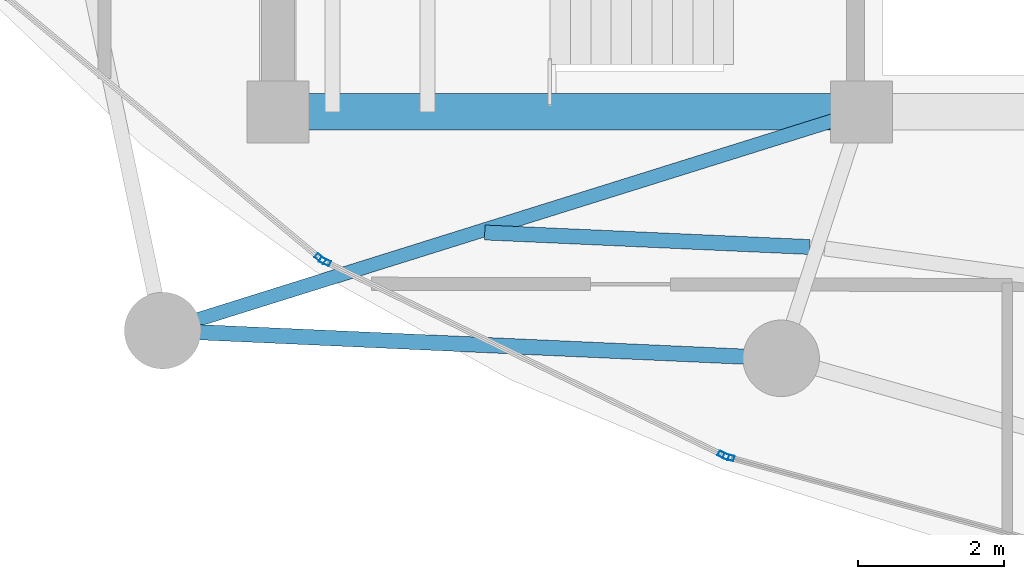
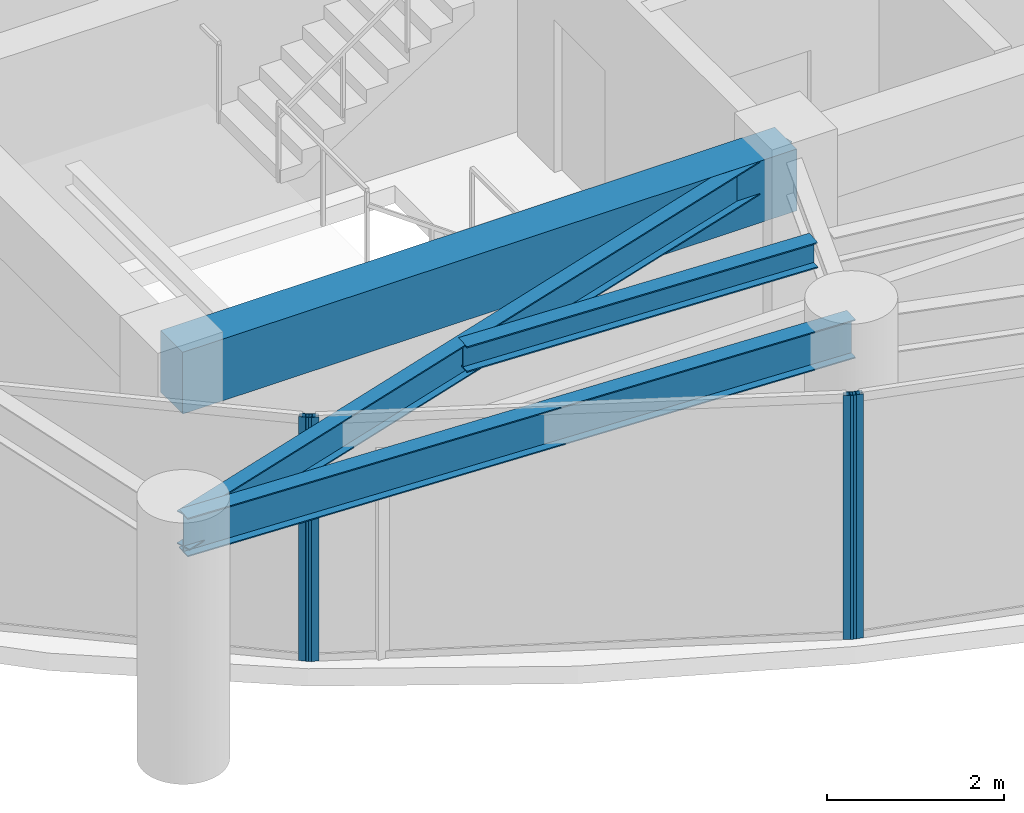
# One storey, part 2 of 31: 4 beams, 4 members, 3 elements without a shape of their own.
"""IFC4 building model written with IfcOpenShell, lengths in metres."""

from ifc_helpers import new_model, si_unit, direction, frame, origin, origin_2d, place, context, subcontext, project, spatial, rectangle, hollow_rectangle, i_section, extrude, material, layer, layer_set, material_profile, profile_set, type_object, element, aggregate, save


model = new_model("IFC4")

# Units and contexts
model_context = context("Model", 3, precision=1e-05, world=origin(), true_north=direction((0.0, 1.0)))
body_context = subcontext(model_context, "Body", "Model", "MODEL_VIEW")
ifc_project = project(units=[si_unit("LENGTHUNIT", "METRE"), si_unit("AREAUNIT", "SQUARE_METRE"), si_unit("VOLUMEUNIT", "CUBIC_METRE"), si_unit("PLANEANGLEUNIT", "RADIAN"), si_unit("MASSUNIT", "GRAM", prefix="KILO")], contexts=[model_context])

# Site, building, storey
site_placement = place(None, origin())
site = spatial("IfcSite", under=ifc_project, at=site_placement, CompositionType="ELEMENT")
building_placement = place(site_placement, origin())
building = spatial("IfcBuilding", under=site, at=building_placement, Name="Kazevale Care Tower and Concert Hall", CompositionType="ELEMENT")
storey_placement = place(building_placement, frame((0.0, 0.0, 202.800048828125)))
storey = spatial("IfcBuildingStorey", under=building, at=storey_placement, Name="L53", CompositionType="ELEMENT", Elevation=202.800048828125)

# Curtain wall, member
ifc_material_1 = material(Name="Aluminium 6063-T6 and Low-E Glass", Category="aluminium")
ifc_layer = layer(ifc_material_1, 0.179931640625)
ifc_layer_set = layer_set([ifc_layer], Name="Aluminium 6063-T6 and Low-E Glass")
curtain_wall_type = type_object("IfcCurtainWallType", Name="Sheltered Concave Balcony Curtain Wall CW-5", PredefinedType="NOTDEFINED", material=ifc_layer_set)
curtain_wall_1_placement = place(storey_placement, origin())
curtain_wall_1 = element("IfcCurtainWall", 1, at=curtain_wall_1_placement, inside=storey, type_object=curtain_wall_type, Name="cw:L53:f08", PredefinedType="NOTDEFINED")
ifc_material_2 = material(Name="Aluminium 6063-T6", Category="aluminium")
ifc_material_profile_1 = material_profile(ifc_material_2, hollow_rectangle(XDim=0.074951171875, YDim=0.14990234375, WallThickness=0.00390625, at=origin_2d()), Name="ALU75x150x4")
ifc_profile_set_1 = profile_set([ifc_material_profile_1], Name="Aluminium 6063-T6")
member_type = type_object("IfcMemberType", Name="CW-5 Mullion ALU75x150x4", PredefinedType="MULLION", material=ifc_profile_set_1)
member_1_placement = place(storey_placement, frame((28.18017578125, 18.863037109375, 0.0), z_axis=(0.0, 0.0, 1.0), x_axis=(-0.262848968947, -0.964836991167, 0.0)))
member_1 = element("IfcMember", 2, at=member_1_placement, type_object=member_type, Name="CW-5 mullion 2", PredefinedType="MULLION", context=body_context, shape_type="SweptSolid", body=[
    extrude(hollow_rectangle(XDim=0.074951171875, YDim=0.14990234375, WallThickness=0.00390625, at=origin_2d()), origin(), (0.0, 0.0, 1.0), 3.35986328125),
])
aggregate(curtain_wall_1, [member_1])

# Curtain wall, members
curtain_wall_2_placement = place(storey_placement, origin())
curtain_wall_2 = element("IfcCurtainWall", 3, at=curtain_wall_2_placement, inside=storey, type_object=curtain_wall_type, Name="cw:L53:f09", PredefinedType="NOTDEFINED")
member_2_placement = place(storey_placement, frame((28.1103515625, 18.889404296875, 0.0), z_axis=(0.0, 0.0, 1.0), x_axis=(-0.437238357087, -0.89934566163, 0.0)))
member_2 = element("IfcMember", 4, at=member_2_placement, type_object=member_type, Name="CW-5 mullion 1", PredefinedType="MULLION", context=body_context, shape_type="SweptSolid", body=[
    extrude(hollow_rectangle(XDim=0.074951171875, YDim=0.14990234375, WallThickness=0.00390625, at=origin_2d()), origin(), (0.0, 0.0, 1.0), 3.35986328125),
])
member_3_placement = place(storey_placement, frame((22.644775390625, 21.546630859375, 0.0), z_axis=(0.0, 0.0, 1.0), x_axis=(-0.437238357087, -0.89934566163, 0.0)))
member_3 = element("IfcMember", 5, at=member_3_placement, type_object=member_type, Name="CW-5 mullion 2", PredefinedType="MULLION", context=body_context, shape_type="SweptSolid", body=[
    extrude(hollow_rectangle(XDim=0.074951171875, YDim=0.14990234375, WallThickness=0.00390625, at=origin_2d()), origin(), (0.0, 0.0, 1.0), 3.35986328125),
])
aggregate(curtain_wall_2, [member_2, member_3])

# Curtain wall, member
curtain_wall_3_placement = place(storey_placement, origin())
curtain_wall_3 = element("IfcCurtainWall", 6, at=curtain_wall_3_placement, inside=storey, type_object=curtain_wall_type, Name="cw:L53:f10", PredefinedType="NOTDEFINED")
member_4_placement = place(storey_placement, frame((22.582275390625, 21.5869140625, 0.0), z_axis=(0.0, 0.0, 1.0), x_axis=(-0.639961217204, -0.768407210062, 0.0)))
member_4 = element("IfcMember", 7, at=member_4_placement, type_object=member_type, Name="CW-5 mullion 1", PredefinedType="MULLION", context=body_context, shape_type="SweptSolid", body=[
    extrude(hollow_rectangle(XDim=0.074951171875, YDim=0.14990234375, WallThickness=0.00390625, at=origin_2d()), origin(), (0.0, 0.0, 1.0), 3.35986328125),
])
aggregate(curtain_wall_3, [member_4])

# Beams
ifc_material_3 = material(Name="Concrete C60", Category="concrete")
ifc_material_profile_2 = material_profile(ifc_material_3, rectangle(XDim=0.5, YDim=0.85009765625, at=origin_2d()), Name="RC-B500x850")
ifc_profile_set_2 = profile_set([ifc_material_profile_2], Name="Concrete C60")
beam_type_1 = type_object("IfcBeamType", Name="Core Coupling Beam RC500x850", PredefinedType="LINTEL", material=ifc_profile_set_2)
beam_1_placement = place(storey_placement, frame((22.0, 23.60009765625, 2.93505859375), z_axis=(1.0, 0.0, 0.0), x_axis=(0.0, 1.0, 0.0)))
element("IfcBeam", 8, at=beam_1_placement, inside=storey, type_object=beam_type_1, Name="beam:L53:coretie:1", PredefinedType="LINTEL", context=body_context, shape_type="SweptSolid", body=[
    extrude(rectangle(XDim=0.5, YDim=0.85009765625, at=origin_2d()), origin(), (0.0, 0.0, 1.0), 8.0),
])
ifc_material_4 = material(Name="Steel ASTM A572 Gr 50", Category="steel")
ifc_material_profile_3 = material_profile(ifc_material_4, i_section(OverallWidth=0.19091796875, OverallDepth=0.4599609375, WebThickness=0.010009765625, FlangeThickness=0.01611328125, at=origin_2d()), Name="W460x82")
ifc_profile_set_3 = profile_set([ifc_material_profile_3], Name="Steel ASTM A572 Gr 50")
beam_type_2 = type_object("IfcBeamType", Name="Radial Floor Beam W460x82", PredefinedType="BEAM", material=ifc_profile_set_3)
beam_2_placement = place(storey_placement, frame((30.0, 23.60009765625, 3.1298828125), z_axis=(-0.954303255322, -0.298839918486, 0.0), x_axis=(0.298839918486, -0.954303255322, 0.0)))
element("IfcBeam", 9, at=beam_2_placement, inside=storey, type_object=beam_type_2, Name="beam:L53:rad:10", PredefinedType="BEAM", context=body_context, shape_type="SweptSolid", body=[
    extrude(i_section(OverallWidth=0.19091796875, OverallDepth=0.4599609375, WebThickness=0.010009765625, FlangeThickness=0.01611328125, at=origin_2d()), origin(), (0.0, 0.0, 1.0), 10.038818359375),
])
ifc_material_profile_4 = material_profile(ifc_material_4, i_section(OverallWidth=0.205078125, OverallDepth=0.35400390625, WebThickness=0.009521484375, FlangeThickness=0.016845703125, at=origin_2d()), Name="W360x79")
ifc_profile_set_4 = profile_set([ifc_material_profile_4], Name="Steel ASTM A572 Gr 50")
beam_type_3 = type_object("IfcBeamType", Name="Secondary Floor Joist W360x79", PredefinedType="JOIST", material=ifc_profile_set_4)
beam_3_placement = place(storey_placement, frame((24.8359375, 21.945068359375, 3.182861328125), z_axis=(0.999003687274, -0.044627713502, 0.0), x_axis=(0.044627713502, 0.999003687274, 0.0)))
element("IfcBeam", 10, at=beam_3_placement, inside=storey, type_object=beam_type_3, Name="beam:L53:joist:10", PredefinedType="JOIST", context=body_context, shape_type="SweptSolid", body=[
    extrude(i_section(OverallWidth=0.205078125, OverallDepth=0.35400390625, WebThickness=0.009521484375, FlangeThickness=0.016845703125, at=origin_2d()), origin(), (0.0, 0.0, 1.0), 4.45849609375),
])
ifc_material_profile_5 = material_profile(ifc_material_4, i_section(OverallWidth=0.208984375, OverallDepth=0.532958984375, WebThickness=0.01025390625, FlangeThickness=0.015625, at=origin_2d()), Name="W530x92")
ifc_profile_set_5 = profile_set([ifc_material_profile_5], Name="Steel ASTM A572 Gr 50")
beam_type_4 = type_object("IfcBeamType", Name="Upper Ring Beam W530x92", PredefinedType="BEAM", material=ifc_profile_set_5)
beam_4_placement = place(storey_placement, frame((20.419921875, 20.60009765625, 3.093505859375), z_axis=(0.998996808771, -0.044781425441, 0.0), x_axis=(0.044781425441, 0.998996808771, 0.0)))
element("IfcBeam", 11, at=beam_4_placement, inside=storey, type_object=beam_type_4, Name="beam:L53:ring:10", PredefinedType="BEAM", context=body_context, shape_type="SweptSolid", body=[
    extrude(i_section(OverallWidth=0.208984375, OverallDepth=0.532958984375, WebThickness=0.01025390625, FlangeThickness=0.015625, at=origin_2d()), origin(), (0.0, 0.0, 1.0), 8.488525390625),
])

save(model, "model.ifc")
